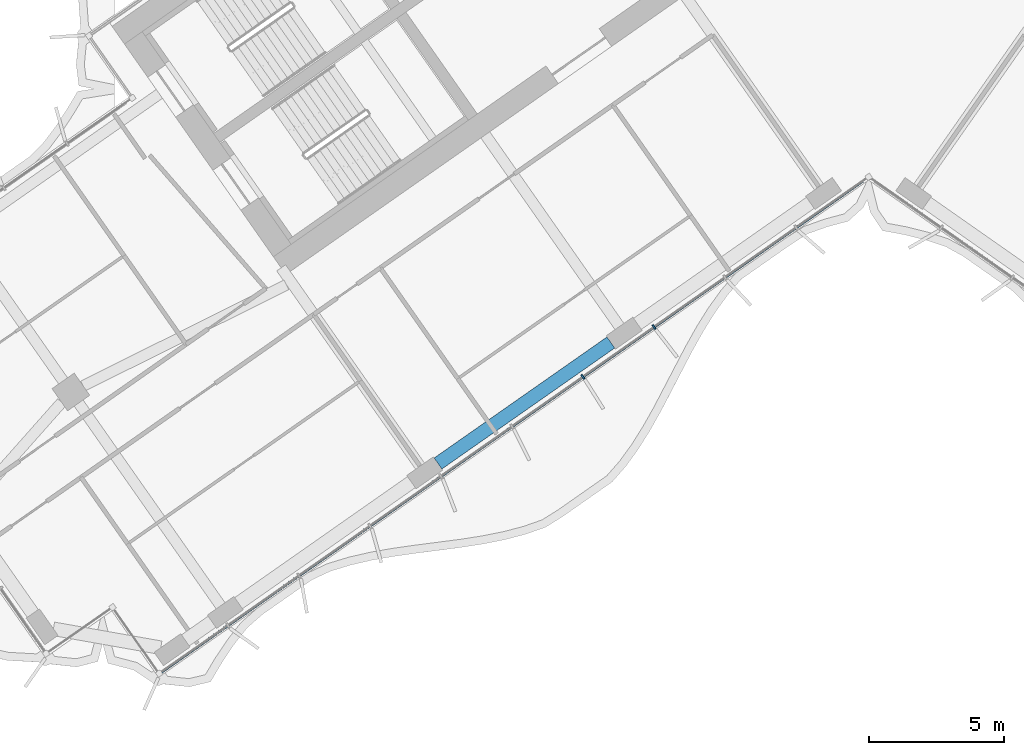
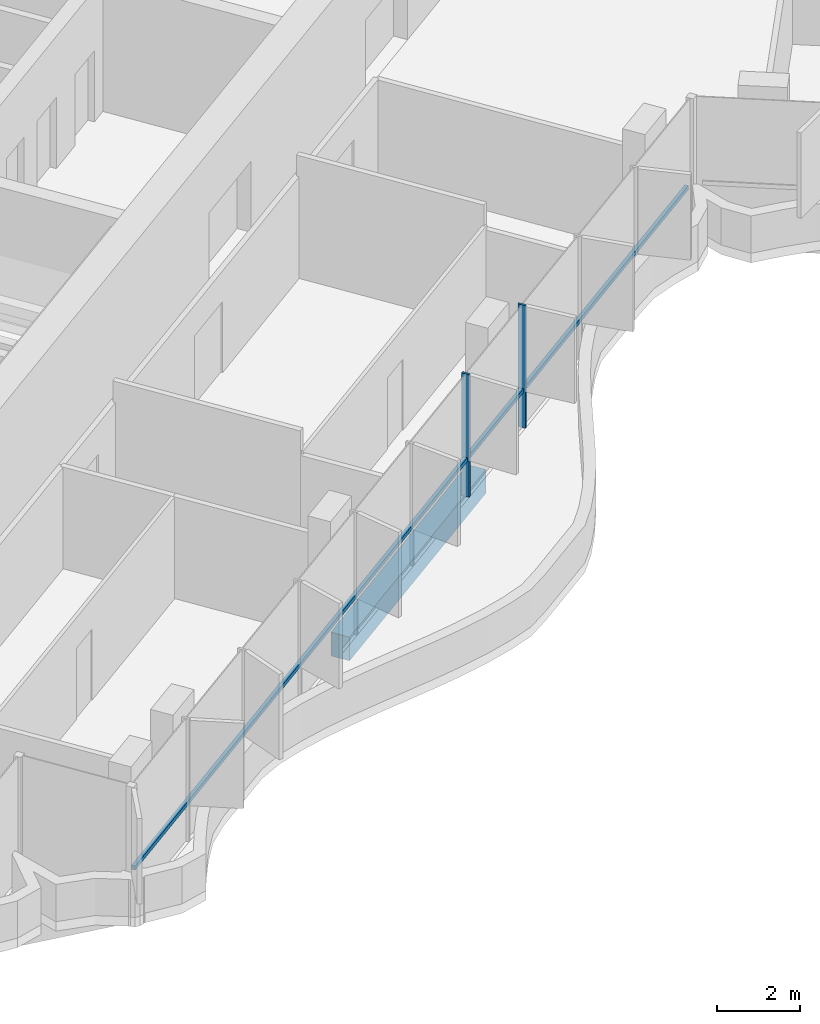
# One storey, part 3 of 23: 3 members, 1 beam, 1 element without a shape of its own.
"""IFC4 building model written with IfcOpenShell, lengths in metres."""

from ifc_helpers import new_model, si_unit, direction, frame, origin, origin_2d, place, context, subcontext, project, spatial, rectangle, extrude, material, material_profile, profile_set, type_object, element, aggregate, save


model = new_model("IFC4")

# Units and contexts
model_context = context("Model", 3, precision=1e-05, world=origin(), true_north=direction((0.0, 1.0)))
body_context = subcontext(model_context, "Body", "Model", "MODEL_VIEW")
ifc_project = project(units=[si_unit("LENGTHUNIT", "METRE"), si_unit("AREAUNIT", "SQUARE_METRE"), si_unit("VOLUMEUNIT", "CUBIC_METRE"), si_unit("PLANEANGLEUNIT", "RADIAN"), si_unit("MASSUNIT", "GRAM", prefix="KILO")], contexts=[model_context])

# Site, building, storey
site_placement = place(None, origin())
site = spatial("IfcSite", under=ifc_project, at=site_placement, CompositionType="ELEMENT")
building_placement = place(site_placement, origin())
building = spatial("IfcBuilding", under=site, at=building_placement, Name="Tel Ilan Convention Tower", CompositionType="ELEMENT")
storey_placement = place(building_placement, frame((0.0, 0.0, 186.60009765625)))
storey = spatial("IfcBuildingStorey", under=building, at=storey_placement, Name="L43", CompositionType="ELEMENT", Elevation=186.60009765625)

# Beam
ifc_material_1 = material(Name="Concrete C40/50", Category="concrete")
ifc_material_profile_1 = material_profile(ifc_material_1, rectangle(XDim=0.5, YDim=0.699951171875, at=origin_2d()), Name="RC 500x700")
ifc_profile_set_1 = profile_set([ifc_material_profile_1], Name="Concrete C40/50")
beam_type = type_object("IfcBeamType", Name="Beam RC 500x700 Concrete C40/50", PredefinedType="BEAM", material=ifc_profile_set_1)
beam_placement = place(storey_placement, frame((-9.529052734375, -18.819091796875, -0.630126953125), z_axis=(-0.819153977895, -0.573573674866, 0.0), x_axis=(0.573573674866, -0.819153977895, 0.0)))
element("IfcBeam", 1, at=beam_placement, inside=storey, type_object=beam_type, Name="L43 beam W-W-F2-W-F3", PredefinedType="BEAM", context=body_context, shape_type="SweptSolid", body=[
    extrude(rectangle(XDim=0.5, YDim=0.699951171875, at=origin_2d()), origin(), (0.0, 0.0, 1.0), 7.800048828125),
])

# Curtain wall, members
ifc_material_2 = material(Name="Aluminium, bronze anodised", Category="aluminium")
curtain_wall_type = type_object("IfcCurtainWallType", Name="CW4 STICK CURTAIN WALL, OFFICE TINTED GLASS", PredefinedType="NOTDEFINED", material=ifc_material_2)
curtain_wall_placement = place(storey_placement, origin())
curtain_wall = element("IfcCurtainWall", 2, at=curtain_wall_placement, inside=storey, type_object=curtain_wall_type, Name="Curtain wall CW4-33.02", PredefinedType="NOTDEFINED")
ifc_material_3 = material(Name="Aluminium, bronze anodised", Category="aluminium")
ifc_material_profile_2 = material_profile(ifc_material_3, rectangle(XDim=0.06005859375, YDim=0.199951171875, at=origin_2d()), Name="CW MULLION 60x200")
ifc_profile_set_2 = profile_set([ifc_material_profile_2], Name="Aluminium, bronze anodised")
member_type_1 = type_object("IfcMemberType", Name="CW MULLION 60x200", PredefinedType="MULLION", material=ifc_profile_set_2)
member_1_placement = place(storey_placement, frame((-10.55810546875, -20.0888671875, 0.0), z_axis=(0.0, 0.0, 1.0), x_axis=(0.819152044289, 0.573576436351, 0.0)))
member_1 = element("IfcMember", 3, at=member_1_placement, type_object=member_type_1, Name="Mullion", PredefinedType="MULLION", context=body_context, shape_type="SweptSolid", body=[
    extrude(rectangle(XDim=0.06005859375, YDim=0.199951171875, at=origin_2d()), origin(), (0.0, 0.0, 1.0), 3.619873046875),
])
member_2_placement = place(storey_placement, frame((-7.932861328125, -18.250732421875, 0.0), z_axis=(0.0, 0.0, 1.0), x_axis=(0.819152044289, 0.573576436351, 0.0)))
member_2 = element("IfcMember", 4, at=member_2_placement, type_object=member_type_1, Name="Mullion", PredefinedType="MULLION", context=body_context, shape_type="SweptSolid", body=[
    extrude(rectangle(XDim=0.06005859375, YDim=0.199951171875, at=origin_2d()), origin(), (0.0, 0.0, 1.0), 3.619873046875),
])
ifc_material_4 = material(Name="Aluminium, bronze anodised", Category="aluminium")
ifc_material_profile_3 = material_profile(ifc_material_4, rectangle(XDim=0.10009765625, YDim=0.1201171875, at=origin_2d()), Name="CW TRANSOM 100x120")
ifc_profile_set_3 = profile_set([ifc_material_profile_3], Name="Aluminium, bronze anodised")
member_type_2 = type_object("IfcMemberType", Name="CW TRANSOM 100x120", PredefinedType="USERDEFINED", material=ifc_profile_set_3)
member_3_placement = place(storey_placement, frame((-26.1455078125, -31.00341796875, 1.099853515625), z_axis=(0.819149281128, 0.573580382534, 0.0), x_axis=(-0.573580382534, 0.819149281128, 0.0)))
member_3 = element("IfcMember", 5, at=member_3_placement, type_object=member_type_2, Name="Transom", ObjectType="TRANSOM", PredefinedType="USERDEFINED", context=body_context, shape_type="SweptSolid", body=[
    extrude(rectangle(XDim=0.10009765625, YDim=0.1201171875, at=origin_2d()), origin(), (0.0, 0.0, 1.0), 31.64794921875),
])
aggregate(curtain_wall, [member_1, member_2, member_3])

save(model, "model.ifc")
